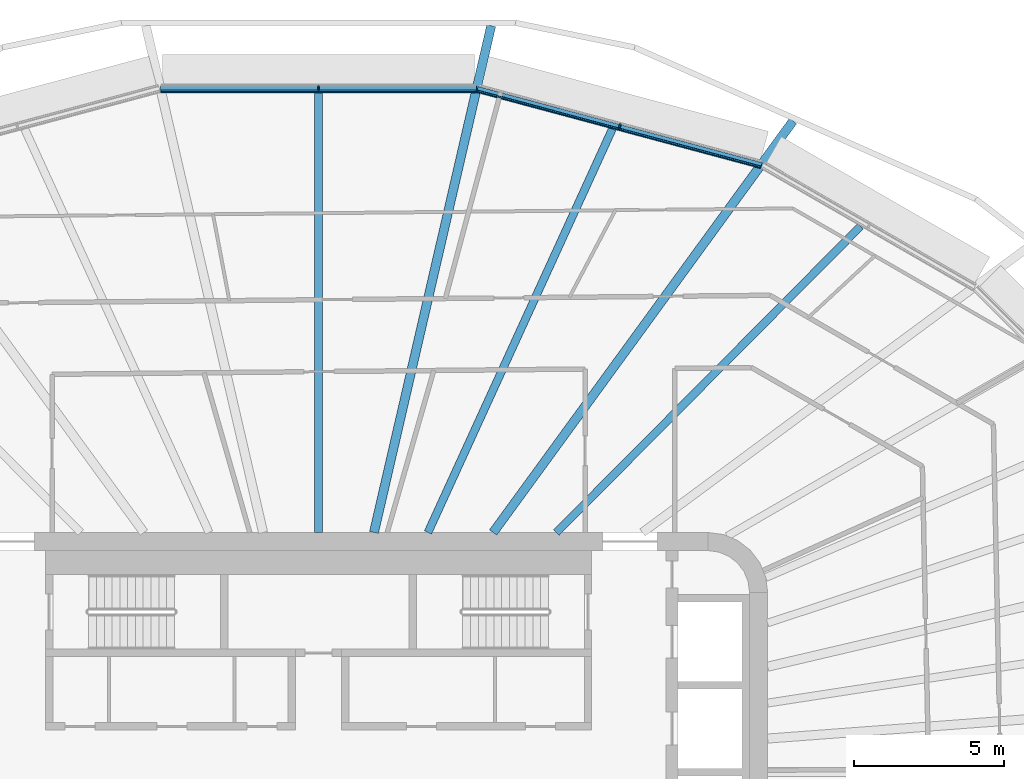
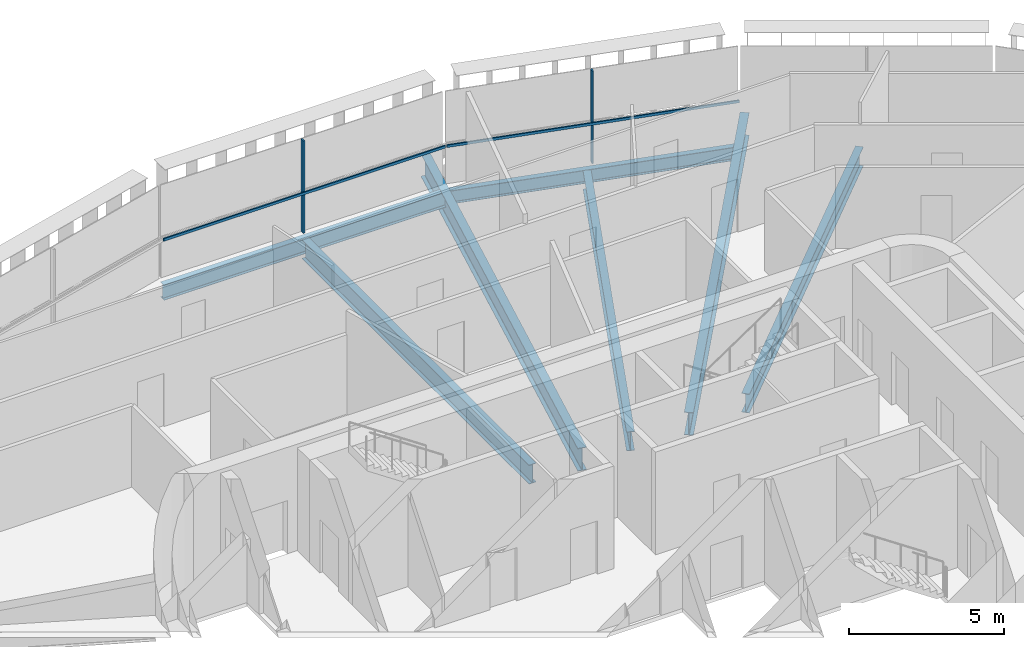
# One storey, part 9 of 24: 7 beams, 4 members, 2 elements without a shape of their own.
"""IFC4 building model written with IfcOpenShell, lengths in metres."""

from ifc_helpers import new_model, si_unit, direction, frame, origin, origin_2d, place, context, subcontext, project, spatial, rectangle, i_section, extrude, material, layer, layer_set, material_profile, profile_set, type_object, element, aggregate, save


model = new_model("IFC4")

# Units and contexts
model_context = context("Model", 3, precision=1e-05, world=origin(), true_north=direction((0.0, 1.0)))
body_context = subcontext(model_context, "Body", "Model", "MODEL_VIEW")
ifc_project = project(units=[si_unit("LENGTHUNIT", "METRE"), si_unit("AREAUNIT", "SQUARE_METRE"), si_unit("VOLUMEUNIT", "CUBIC_METRE"), si_unit("PLANEANGLEUNIT", "RADIAN"), si_unit("MASSUNIT", "GRAM", prefix="KILO")], contexts=[model_context])

# Site, building, storey
site_placement = place(None, origin())
site = spatial("IfcSite", under=ifc_project, at=site_placement, CompositionType="ELEMENT")
building_placement = place(site_placement, origin())
building = spatial("IfcBuilding", under=site, at=building_placement, Name="Sahrelin Media Tower", CompositionType="ELEMENT")
storey_placement = place(building_placement, frame((0.0, 0.0, 58.800048828125)))
storey = spatial("IfcBuildingStorey", under=building, at=storey_placement, Name="L09", CompositionType="ELEMENT", Elevation=58.800048828125)

# Beams
ifc_material_1 = material(Name="Steel S355", Category="steel")
ifc_material_profile_1 = material_profile(ifc_material_1, i_section(OverallWidth=0.208740234375, OverallDepth=0.5283203125, WebThickness=0.009521484375, FlangeThickness=0.01318359375, FilletRadius=0.0126953125, at=origin_2d()), Name="UB 533x210x82")
ifc_profile_set_1 = profile_set([ifc_material_profile_1], Name="Steel S355")
beam_type_1 = type_object("IfcBeamType", Name="Edge beam EB6", PredefinedType="BEAM", material=ifc_profile_set_1)
beam_1_placement = place(storey_placement, frame((5.3037109375, 22.791259765625, -0.414306640625), z_axis=(0.96592551844, -0.25882019401, 0.0), x_axis=(0.25882019401, 0.96592551844, 0.0)))
element("IfcBeam", 1, at=beam_1_placement, inside=storey, type_object=beam_type_1, Name="Edge beam L09-20", PredefinedType="BEAM", context=body_context, shape_type="SweptSolid", body=[
    extrude(i_section(OverallWidth=0.208740234375, OverallDepth=0.5283203125, WebThickness=0.009521484375, FlangeThickness=0.01318359375, FilletRadius=0.0126953125, at=origin_2d()), origin(), (0.0, 0.0, 1.0), 9.817626953125),
])
ifc_material_profile_2 = material_profile(ifc_material_1, i_section(OverallWidth=0.2275390625, OverallDepth=0.6025390625, WebThickness=0.010498046875, FlangeThickness=0.014892578125, FilletRadius=0.0126953125, at=origin_2d()), Name="UB 610x229x101")
ifc_profile_set_2 = profile_set([ifc_material_profile_2], Name="Steel S355")
beam_type_2 = type_object("IfcBeamType", Name="Edge beam EB7", PredefinedType="BEAM", material=ifc_profile_set_2)
beam_2_placement = place(storey_placement, frame((-5.27490234375, 22.795166015625, -0.451416015625), z_axis=(1.0, 0.0, 0.0), x_axis=(0.0, 1.0, 0.0)))
element("IfcBeam", 2, at=beam_2_placement, inside=storey, type_object=beam_type_2, Name="Edge beam L09-19", PredefinedType="BEAM", context=body_context, shape_type="SweptSolid", body=[
    extrude(i_section(OverallWidth=0.2275390625, OverallDepth=0.6025390625, WebThickness=0.010498046875, FlangeThickness=0.014892578125, FilletRadius=0.0126953125, at=origin_2d()), origin(), (0.0, 0.0, 1.0), 10.5498046875),
])

# Curtain wall, member
ifc_material_2 = material(Name="Champagne anodised aluminium 6063-T6", Category="aluminium")
ifc_layer = layer(ifc_material_2, 0.14990234375)
ifc_layer_set = layer_set([ifc_layer], Name="Tower ribbon curtain wall")
curtain_wall_type = type_object("IfcCurtainWallType", Name="Tower ribbon curtain wall", PredefinedType="NOTDEFINED", material=ifc_layer_set)
curtain_wall_1_placement = place(storey_placement, frame((10.083984375, 21.665771484375, 0.0), z_axis=(0.0, 0.0, 1.0), x_axis=(1.0, 0.0, 0.0)))
curtain_wall_1 = element("IfcCurtainWall", 3, at=curtain_wall_1_placement, inside=storey, type_object=curtain_wall_type, Name="L09:CW:L09-05", PredefinedType="NOTDEFINED")
ifc_material_profile_3 = material_profile(ifc_material_2, rectangle(XDim=0.06005859375, YDim=0.14990234375, at=origin_2d()), Name="Mullion 60x150")
ifc_profile_set_3 = profile_set([ifc_material_profile_3], Name="Champagne anodised aluminium 6063-T6")
member_type_1 = type_object("IfcMemberType", Name="Mullion 60x150 CW1", PredefinedType="MULLION", material=ifc_profile_set_3)
member_1_placement = place(storey_placement, frame((10.059326171875, 21.573974609375, 0.0), z_axis=(0.0, 0.0, 1.0), x_axis=(-0.965924471102, 0.258824102675, 0.0)))
member_1 = element("IfcMember", 4, at=member_1_placement, type_object=member_type_1, Name="L09:CWM:L09-05", PredefinedType="MULLION", context=body_context, shape_type="SweptSolid", body=[
    extrude(rectangle(XDim=0.06005859375, YDim=0.14990234375, at=origin_2d()), origin(), (0.0, 0.0, 1.0), 3.6484375),
])

curtain_wall_2_placement = place(storey_placement, frame((0.0, 22.945068359375, 0.0), z_axis=(0.0, 0.0, 1.0), x_axis=(1.0, 0.0, 0.0)))
curtain_wall_2 = element("IfcCurtainWall", 5, at=curtain_wall_2_placement, inside=storey, type_object=curtain_wall_type, Name="L09:CW:L09-06", PredefinedType="NOTDEFINED")
member_2_placement = place(storey_placement, frame((0.0, 22.85009765625, 0.0), z_axis=(0.0, 0.0, 1.0), x_axis=(-1.0, 0.0, 0.0)))
member_2 = element("IfcMember", 6, at=member_2_placement, type_object=member_type_1, Name="L09:CWM:L09-06", PredefinedType="MULLION", context=body_context, shape_type="SweptSolid", body=[
    extrude(rectangle(XDim=0.06005859375, YDim=0.14990234375, at=origin_2d()), origin(), (0.0, 0.0, 1.0), 3.6484375),
])

# Beams
ifc_material_profile_4 = material_profile(ifc_material_1, i_section(OverallWidth=0.30322265625, OverallDepth=0.903076171875, WebThickness=0.01513671875, FlangeThickness=0.020263671875, FilletRadius=0.01904296875, at=origin_2d()), Name="UB 914x305x201")
ifc_profile_set_4 = profile_set([ifc_material_profile_4], Name="Steel S355")
beam_type_3 = type_object("IfcBeamType", Name="Radial primary beam PB11", PredefinedType="BEAM", material=ifc_profile_set_4)
beam_3_placement = place(storey_placement, frame((5.830810546875, 8.0, -0.6015625), z_axis=(0.589006176074, 0.808128532194, 0.0), x_axis=(-0.808128532194, 0.589006176074, 0.0)))
element("IfcBeam", 7, at=beam_3_placement, inside=storey, type_object=beam_type_3, Name="Radial beam L09-05", PredefinedType="BEAM", context=body_context, shape_type="SweptSolid", body=[
    extrude(i_section(OverallWidth=0.30322265625, OverallDepth=0.903076171875, WebThickness=0.01513671875, FlangeThickness=0.020263671875, FilletRadius=0.01904296875, at=origin_2d()), origin(), (0.0, 0.0, 1.0), 17.0068359375),
])
beam_4_placement = place(storey_placement, frame((1.85107421875, 8.0, -0.6015625), z_axis=(0.225438360728, 0.974257432875, 0.0), x_axis=(-0.974257432875, 0.225438360728, 0.0)))
element("IfcBeam", 8, at=beam_4_placement, inside=storey, type_object=beam_type_3, Name="Radial beam L09-06", PredefinedType="BEAM", context=body_context, shape_type="SweptSolid", body=[
    extrude(i_section(OverallWidth=0.30322265625, OverallDepth=0.903076171875, WebThickness=0.01513671875, FlangeThickness=0.020263671875, FilletRadius=0.01904296875, at=origin_2d()), origin(), (0.0, 0.0, 1.0), 17.371826171875),
])
ifc_material_profile_5 = material_profile(ifc_material_1, i_section(OverallWidth=0.26513671875, OverallDepth=0.75390625, WebThickness=0.0126953125, FlangeThickness=0.017578125, FilletRadius=0.0166015625, at=origin_2d()), Name="UB 762x267x147")
ifc_profile_set_5 = profile_set([ifc_material_profile_5], Name="Steel S355")
beam_type_4 = type_object("IfcBeamType", Name="Radial secondary beam SB9", PredefinedType="BEAM", material=ifc_profile_set_5)
beam_5_placement = place(storey_placement, frame((7.945068359375, 8.0, -0.527099609375), z_axis=(0.704664058133, 0.709541094775, 0.0), x_axis=(-0.709541094775, 0.704664058133, 0.0)))
element("IfcBeam", 9, at=beam_5_placement, inside=storey, type_object=beam_type_4, Name="Secondary beam L09-04", PredefinedType="BEAM", context=body_context, shape_type="SweptSolid", body=[
    extrude(i_section(OverallWidth=0.26513671875, OverallDepth=0.75390625, WebThickness=0.0126953125, FlangeThickness=0.017578125, FilletRadius=0.0166015625, at=origin_2d()), origin(), (0.0, 0.0, 1.0), 14.4169921875),
])
beam_6_placement = place(storey_placement, frame((3.655517578125, 8.0, -0.527099609375), z_axis=(0.415602418325, 0.909546386878, 0.0), x_axis=(-0.909546386878, 0.415602418325, 0.0)))
element("IfcBeam", 10, at=beam_6_placement, inside=storey, type_object=beam_type_4, Name="Secondary beam L09-05", PredefinedType="BEAM", context=body_context, shape_type="SweptSolid", body=[
    extrude(i_section(OverallWidth=0.26513671875, OverallDepth=0.75390625, WebThickness=0.0126953125, FlangeThickness=0.017578125, FilletRadius=0.0166015625, at=origin_2d()), origin(), (0.0, 0.0, 1.0), 14.815185546875),
])
beam_7_placement = place(storey_placement, frame((0.0, 8.0, -0.527099609375), z_axis=(0.0, 1.0, 0.0), x_axis=(-1.0, 0.0, 0.0)))
element("IfcBeam", 11, at=beam_7_placement, inside=storey, type_object=beam_type_4, Name="Secondary beam L09-06", PredefinedType="BEAM", context=body_context, shape_type="SweptSolid", body=[
    extrude(i_section(OverallWidth=0.26513671875, OverallDepth=0.75390625, WebThickness=0.0126953125, FlangeThickness=0.017578125, FilletRadius=0.0166015625, at=origin_2d()), origin(), (0.0, 0.0, 1.0), 14.681396484375),
])

# Member
ifc_material_profile_6 = material_profile(ifc_material_2, rectangle(XDim=0.050048828125, YDim=0.10009765625, at=origin_2d()), Name="Transom 50x100")
ifc_profile_set_6 = profile_set([ifc_material_profile_6], Name="Champagne anodised aluminium 6063-T6")
member_type_2 = type_object("IfcMemberType", Name="Transom 50x100 CW1", PredefinedType="USERDEFINED", material=ifc_profile_set_6)
member_3_placement = place(storey_placement, frame((14.760009765625, 20.2109375, 1.599853515625), z_axis=(-0.965924109798, 0.258825451049, 0.0), x_axis=(-0.258825451049, -0.965924109798, 0.0)))
member_3 = element("IfcMember", 12, at=member_3_placement, type_object=member_type_2, Name="L09:CWT:L09-05", ObjectType="TRANSOM", PredefinedType="USERDEFINED", context=body_context, shape_type="SweptSolid", body=[
    extrude(rectangle(XDim=0.050048828125, YDim=0.10009765625, at=origin_2d()), origin(), (0.0, 0.0, 1.0), 9.786376953125),
])

aggregate(curtain_wall_1, [member_1, member_3])

member_4_placement = place(storey_placement, frame((5.25927734375, 22.75, 1.599853515625), z_axis=(-1.0, 0.0, 0.0), x_axis=(0.0, -1.0, 0.0)))
member_4 = element("IfcMember", 13, at=member_4_placement, type_object=member_type_2, Name="L09:CWT:L09-06", ObjectType="TRANSOM", PredefinedType="USERDEFINED", context=body_context, shape_type="SweptSolid", body=[
    extrude(rectangle(XDim=0.050048828125, YDim=0.10009765625, at=origin_2d()), origin(), (0.0, 0.0, 1.0), 10.5185546875),
])

aggregate(curtain_wall_2, [member_2, member_4])

save(model, "model.ifc")
